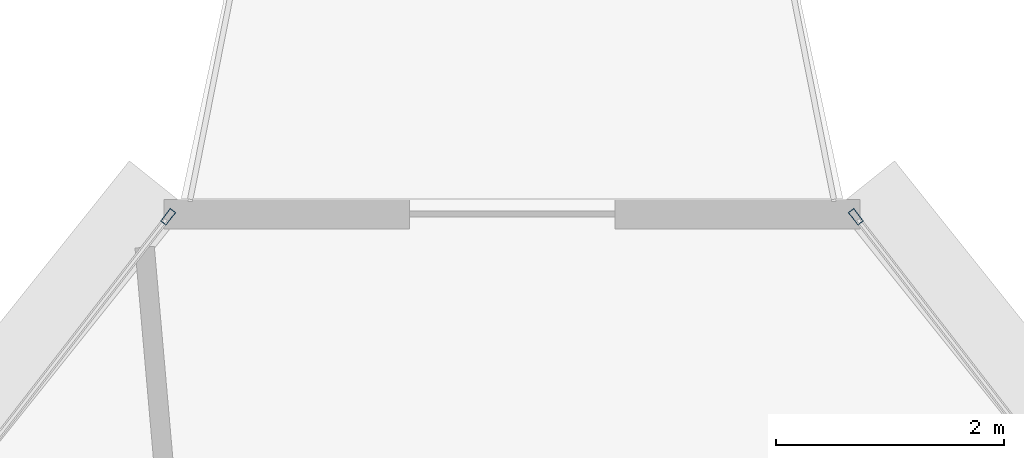
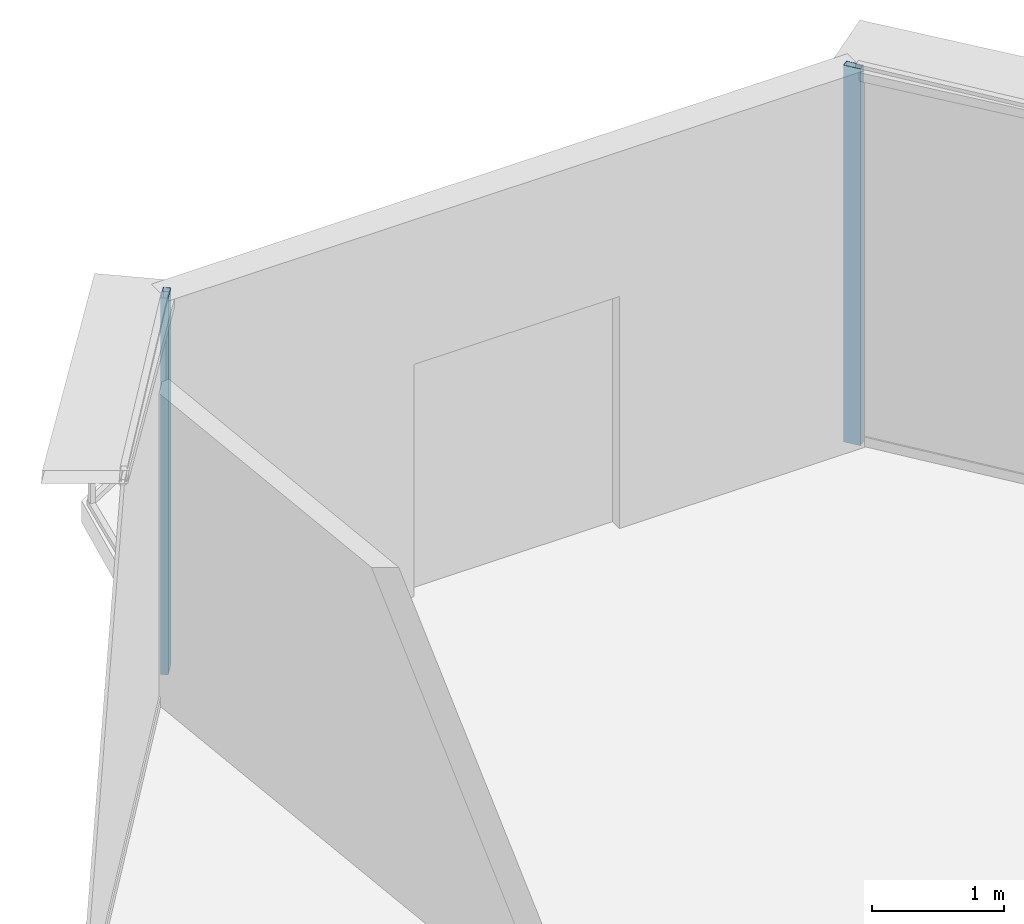
# One storey, part 19 of 30: 2 members, 2 elements without a shape of their own.
"""IFC4 building model written with IfcOpenShell, lengths in metres."""

import ifcopenshell
import ifcopenshell.guid

model = None  # the IFC model being written
_history = None  # IfcOwnerHistory: only IFC2X3 demands one
_inside = {}  # id of a spatial element -> (the spatial element, [elements in it])
_under = {}  # id of a project, library or spatial element -> (it, [spatial elements below it])
_declared = {}  # id of a project -> (the project, [libraries it declares])
_typed = {}  # id of a type object -> (the type object, [elements of that type])
_made_of = {}  # id of a material, layer set ... -> (it, [elements and type objects made of it])


def new_model(schema):
    """Start an empty IFC model of exactly this schema.

    Asked for "IFC4X3", IfcOpenShell would pick the latest addendum, in which some entities
    have other attributes; the version numbers below select the first issue.
    IFC2X3 requires an IfcOwnerHistory on every rooted entity: one is made here for all.
    """
    global model, _history
    if schema == "IFC4X3":
        model = ifcopenshell.file(schema_version=(4, 3, 0, 0))
    else:
        model = ifcopenshell.file(schema=schema)
    _inside.clear()
    _under.clear()
    _declared.clear()
    _typed.clear()
    _made_of.clear()
    _history = None
    if model.schema == "IFC2X3":
        org = make("IfcOrganization", Name="unknown")
        user = make(
            "IfcPersonAndOrganization",
            ThePerson=make("IfcPerson", FamilyName="unknown"),
            TheOrganization=org,
        )
        app = make(
            "IfcApplication",
            ApplicationDeveloper=org,
            Version="unknown",
            ApplicationFullName="unknown",
            ApplicationIdentifier="unknown",
        )
        _history = make(
            "IfcOwnerHistory",
            OwningUser=user,
            OwningApplication=app,
            ChangeAction="ADDED",
            CreationDate=0,
        )
    return model


def make(cls, **values):
    """One entity of the class cls with the attributes given. An attribute that is None is left unset."""
    return model.create_entity(
        cls, **{name: value for name, value in values.items() if value is not None}
    )


def rooted(cls, **values):
    """An entity with a GlobalId (a new one), such as an element, a storey or a relation."""
    return make(cls, GlobalId=ifcopenshell.guid.new(), OwnerHistory=_history, **values)


def si_unit(unit_type, name, prefix=None):
    """IfcSIUnit, for example si_unit("LENGTHUNIT", "METRE", prefix="MILLI")."""
    return make("IfcSIUnit", UnitType=unit_type, Prefix=prefix, Name=name)


def assignment(units):
    """IfcUnitAssignment: the units of a project."""
    return None if units is None else make("IfcUnitAssignment", Units=units)


def point(xyz):
    """IfcCartesianPoint."""
    return None if xyz is None else make("IfcCartesianPoint", Coordinates=xyz)


def direction(xyz):
    """IfcDirection."""
    return None if xyz is None else make("IfcDirection", DirectionRatios=xyz)


def frame(location, z_axis=None, x_axis=None):
    """IfcAxis2Placement3D, a coordinate frame: its origin and axes. An axis left out is left unset."""
    return make(
        "IfcAxis2Placement3D",
        Location=point(location),
        Axis=direction(z_axis),
        RefDirection=direction(x_axis),
    )


def frame_2d(location, x_axis=None):
    """IfcAxis2Placement2D, a coordinate frame in the plane: its origin and x axis."""
    return make(
        "IfcAxis2Placement2D", Location=point(location), RefDirection=direction(x_axis)
    )


def origin():
    """The frame at (0, 0, 0) with its axes left unset."""
    return frame((0.0, 0.0, 0.0))


def origin_2d():
    """The frame at (0, 0) in the plane with its x axis left unset."""
    return frame_2d((0.0, 0.0))


def place(relative_to, where):
    """IfcLocalPlacement: puts the frame where relative to a parent placement (None: the world)."""
    return make(
        "IfcLocalPlacement", PlacementRelTo=relative_to, RelativePlacement=where
    )


def context(
    kind, dimensions, precision=None, world=None, true_north=None, identifier=None
):
    """IfcGeometricRepresentationContext, for example the 3D "Model" context."""
    return make(
        "IfcGeometricRepresentationContext",
        ContextIdentifier=identifier,
        ContextType=kind,
        CoordinateSpaceDimension=dimensions,
        Precision=precision,
        WorldCoordinateSystem=world,
        TrueNorth=true_north,
    )


def subcontext(parent, identifier, kind, view, scale=None):
    """IfcGeometricRepresentationSubContext, for example "Body" below "Model"."""
    return make(
        "IfcGeometricRepresentationSubContext",
        ContextIdentifier=identifier,
        ContextType=kind,
        ParentContext=parent,
        TargetScale=scale,
        TargetView=view,
    )


def project(units=None, contexts=None):
    """IfcProject with its units and contexts."""
    return rooted(
        "IfcProject",
        Name="project",
        RepresentationContexts=contexts,
        UnitsInContext=assignment(units),
    )


def spatial(cls, under=None, at=None, **own):
    """A site, building, storey or space (cls), placed at a placement, below another one or the project."""
    s = rooted(cls, ObjectPlacement=at, **own)
    if under is not None:
        _under.setdefault(under.id(), (under, []))[1].append(s)
    return s


def profile(cls, at=None, kind="AREA", **sizes):
    """A parametric profile (cls). Its sizes go by their IFC names, for example OverallWidth=200.0."""
    return make(cls, ProfileType=kind, Position=at, **sizes)


def hollow_rectangle(**sizes):
    """IfcRectangleHollowProfileDef."""
    return profile("IfcRectangleHollowProfileDef", **sizes)


def extrude(swept, where, along, depth):
    """IfcExtrudedAreaSolid: the profile swept, set in the frame where, extruded along a direction by depth."""
    return make(
        "IfcExtrudedAreaSolid",
        SweptArea=swept,
        Position=where,
        ExtrudedDirection=direction(along),
        Depth=depth,
    )


def shape(context_of_items, identifier, shape_type, items):
    """IfcShapeRepresentation: the items that make up one representation, for example the "Body"."""
    return make(
        "IfcShapeRepresentation",
        ContextOfItems=context_of_items,
        RepresentationIdentifier=identifier,
        RepresentationType=shape_type,
        Items=items,
    )


def source(mapping_origin, context_of_items, identifier, shape_type, items):
    """IfcRepresentationMap: a shape defined once, which mapped items show again and again."""
    return make(
        "IfcRepresentationMap",
        MappingOrigin=mapping_origin,
        MappedRepresentation=shape(context_of_items, identifier, shape_type, items),
    )


def transform(
    local_origin,
    x_axis=None,
    y_axis=None,
    z_axis=None,
    scale=None,
    scale2=None,
    scale3=None,
    uniform=True,
):
    """IfcCartesianTransformationOperator3D, or its non-uniform kind. x_axis, y_axis, z_axis: its Axis1, 2, 3."""
    if uniform:
        return make(
            "IfcCartesianTransformationOperator3D",
            Axis1=direction(x_axis),
            Axis2=direction(y_axis),
            LocalOrigin=point(local_origin),
            Scale=scale,
            Axis3=direction(z_axis),
        )
    return make(
        "IfcCartesianTransformationOperator3DnonUniform",
        Axis1=direction(x_axis),
        Axis2=direction(y_axis),
        LocalOrigin=point(local_origin),
        Scale=scale,
        Axis3=direction(z_axis),
        Scale2=scale2,
        Scale3=scale3,
    )


def mapped(mapping_source, mapping_target):
    """IfcMappedItem: shows the shape of a source again, moved by a transform."""
    return make(
        "IfcMappedItem", MappingSource=mapping_source, MappingTarget=mapping_target
    )


def material(Name=None, Category=None):
    """IfcMaterial."""
    return make("IfcMaterial", Name=Name, Category=Category)


def layer(
    of_material, thickness, ventilated=None, Name=None, Category=None, Priority=None
):
    """IfcMaterialLayer: one layer of a wall or slab, of a material (None: an air gap)."""
    return make(
        "IfcMaterialLayer",
        Material=of_material,
        LayerThickness=thickness,
        IsVentilated=ventilated,
        Name=Name,
        Category=Category,
        Priority=Priority,
    )


def layer_set(layers, Name=None):
    """IfcMaterialLayerSet."""
    return make("IfcMaterialLayerSet", MaterialLayers=layers, LayerSetName=Name)


def material_profile(
    of_material, cross_section, Name=None, Category=None, Priority=None
):
    """IfcMaterialProfile: a cross section and its material."""
    return make(
        "IfcMaterialProfile",
        Name=Name,
        Material=of_material,
        Profile=cross_section,
        Priority=Priority,
        Category=Category,
    )


def profile_set(profiles, Name=None, composite=None):
    """IfcMaterialProfileSet."""
    return make(
        "IfcMaterialProfileSet",
        Name=Name,
        MaterialProfiles=profiles,
        CompositeProfile=composite,
    )


def made_of(thing, what):
    """Note that an element or type object is made of a material, layer set ...; save() writes the relation."""
    if what is not None:
        _made_of.setdefault(what.id(), (what, []))[1].append(thing)
    return thing


def type_object(cls, material=None, **own):
    """A type object (cls), such as IfcWallType, which elements share."""
    return made_of(rooted(cls, **own), material)


def element(
    cls,
    number,
    at=None,
    inside=None,
    cuts=None,
    type_object=None,
    material=None,
    context=None,
    identifier="Body",
    shape_type=None,
    held_by="IfcProductDefinitionShape",
    body=None,
    shapes=None,
    **own,
):
    """One element of the class cls, such as IfcWall. Its Tag is "e" and its number.

    at: its placement. inside: the storey or other place that contains it. cuts: it is an
    opening in that element (IfcRelVoidsElement). A single representation is given by context,
    identifier, shape_type and body (its items); several are given by shapes. held_by: the class
    of the entity that holds the representations. save() writes the other relations.
    """
    e = rooted(cls, Tag="e%d" % number, ObjectPlacement=at, **own)
    if body is not None:
        shapes = [shape(context, identifier, shape_type, body)]
    if shapes is not None:
        e.Representation = make(held_by, Representations=shapes)
    if inside is not None:
        _inside.setdefault(inside.id(), (inside, []))[1].append(e)
    if cuts is not None:
        rooted(
            "IfcRelVoidsElement", RelatingBuildingElement=cuts, RelatedOpeningElement=e
        )
    if type_object is not None:
        _typed.setdefault(type_object.id(), (type_object, []))[1].append(e)
    return made_of(e, material)


def aggregate(whole, parts):
    """IfcRelAggregates: a whole, such as a stair, and the parts it consists of."""
    return rooted("IfcRelAggregates", RelatingObject=whole, RelatedObjects=parts)


def save(model, path):
    """Write the relations noted so far, then the file.

    IfcRelAggregates (storeys below a building ...), IfcRelContainedInSpatialStructure (elements
    in a storey), IfcRelDefinesByType, IfcRelAssociatesMaterial and IfcRelDeclares: one each for
    every whole, place, type object, material and project.
    """
    for whole, parts in _under.values():
        aggregate(whole, parts)
    for where, things in _inside.values():
        rooted(
            "IfcRelContainedInSpatialStructure",
            RelatedElements=things,
            RelatingStructure=where,
        )
    for kind, things in _typed.values():
        rooted("IfcRelDefinesByType", RelatedObjects=things, RelatingType=kind)
    for what, things in _made_of.values():
        rooted("IfcRelAssociatesMaterial", RelatedObjects=things, RelatingMaterial=what)
    for by, libraries in _declared.values():
        rooted("IfcRelDeclares", RelatingContext=by, RelatedDefinitions=libraries)
    model.write(path)


model = new_model("IFC4")

# Units and contexts
model_context = context("Model", 3, precision=1e-05, world=origin(), true_north=direction((0.0, 1.0)))
body_context = subcontext(model_context, "Body", "Model", "MODEL_VIEW")
ifc_project = project(units=[si_unit("LENGTHUNIT", "METRE"), si_unit("AREAUNIT", "SQUARE_METRE"), si_unit("VOLUMEUNIT", "CUBIC_METRE"), si_unit("PLANEANGLEUNIT", "RADIAN"), si_unit("MASSUNIT", "GRAM", prefix="KILO"), si_unit("THERMODYNAMICTEMPERATUREUNIT", "KELVIN"), si_unit("POWERUNIT", "WATT")], contexts=[model_context])

# Site, building, storey
site_placement = place(None, origin())
site = spatial("IfcSite", under=ifc_project, at=site_placement, CompositionType="ELEMENT")
building_placement = place(site_placement, origin())
building = spatial("IfcBuilding", under=site, at=building_placement, Name="Yunzhuo Pagoda Commons", CompositionType="ELEMENT")
storey_placement = place(building_placement, frame((0.0, 0.0, 348.010009765625)))
storey = spatial("IfcBuildingStorey", under=building, at=storey_placement, Name="L87", CompositionType="ELEMENT", Elevation=348.010009765625)

# Curtain wall, member
ifc_material = material(Name="Anodized aluminium 6063-T6", Category="aluminium")
ifc_layer = layer(ifc_material, 0.139892578125)
ifc_layer_set = layer_set([ifc_layer], Name="Anodized aluminium 6063-T6")
curtain_wall_type = type_object("IfcCurtainWallType", Name="CW-HI High-Zone Ribbon Curtain Wall", PredefinedType="NOTDEFINED", material=ifc_layer_set)
curtain_wall_1_placement = place(storey_placement, origin())
curtain_wall_1 = element("IfcCurtainWall", 1, at=curtain_wall_1_placement, inside=storey, type_object=curtain_wall_type, Name="L87 curtain wall CW-L87-F2B5", PredefinedType="NOTDEFINED")
ifc_material_profile = material_profile(ifc_material, hollow_rectangle(XDim=0.06005859375, YDim=0.139892578125, WallThickness=0.00341796875, at=origin_2d()), Name="Anodized aluminium 6063-T6")
ifc_profile_set = profile_set([ifc_material_profile], Name="Anodized aluminium 6063-T6")
member_type = type_object("IfcMemberType", Name="CW-HI-M Mullion RHS 140x60x3.5", PredefinedType="MULLION", material=ifc_profile_set)
shared_shape = source(origin(), body_context, "Body", "SweptSolid", [
    extrude(hollow_rectangle(XDim=0.06005859375, YDim=0.139892578125, WallThickness=0.00341796875, at=origin_2d()), origin(), (0.0, 0.0, 1.0), 3.489990234375),
])
member_1_placement = place(storey_placement, frame((51.012451171875, 70.75537109375, 0.0), z_axis=(0.0, 0.0, 1.0), x_axis=(-0.790927145065, -0.611910329378, 0.0)))
member_1 = element("IfcMember", 2, at=member_1_placement, type_object=member_type, Name="CW mullion 2", PredefinedType="MULLION", context=body_context, shape_type="MappedRepresentation", body=[
    mapped(shared_shape, transform((0.0, 0.0, 0.0), scale=1.0)),
])
aggregate(curtain_wall_1, [member_1])

curtain_wall_2_placement = place(storey_placement, origin())
curtain_wall_2 = element("IfcCurtainWall", 3, at=curtain_wall_2_placement, inside=storey, type_object=curtain_wall_type, Name="L87 curtain wall CW-L87-F3B1", PredefinedType="NOTDEFINED")
member_2_placement = place(storey_placement, frame((44.987548828125, 70.75537109375, 0.0), z_axis=(0.0, 0.0, 1.0), x_axis=(0.790927145065, -0.611910329378, 0.0)))
member_2 = element("IfcMember", 4, at=member_2_placement, type_object=member_type, Name="CW mullion 1", PredefinedType="MULLION", context=body_context, shape_type="MappedRepresentation", body=[
    mapped(shared_shape, transform((0.0, 0.0, 0.0), scale=1.0)),
])
aggregate(curtain_wall_2, [member_2])

save(model, "model.ifc")
